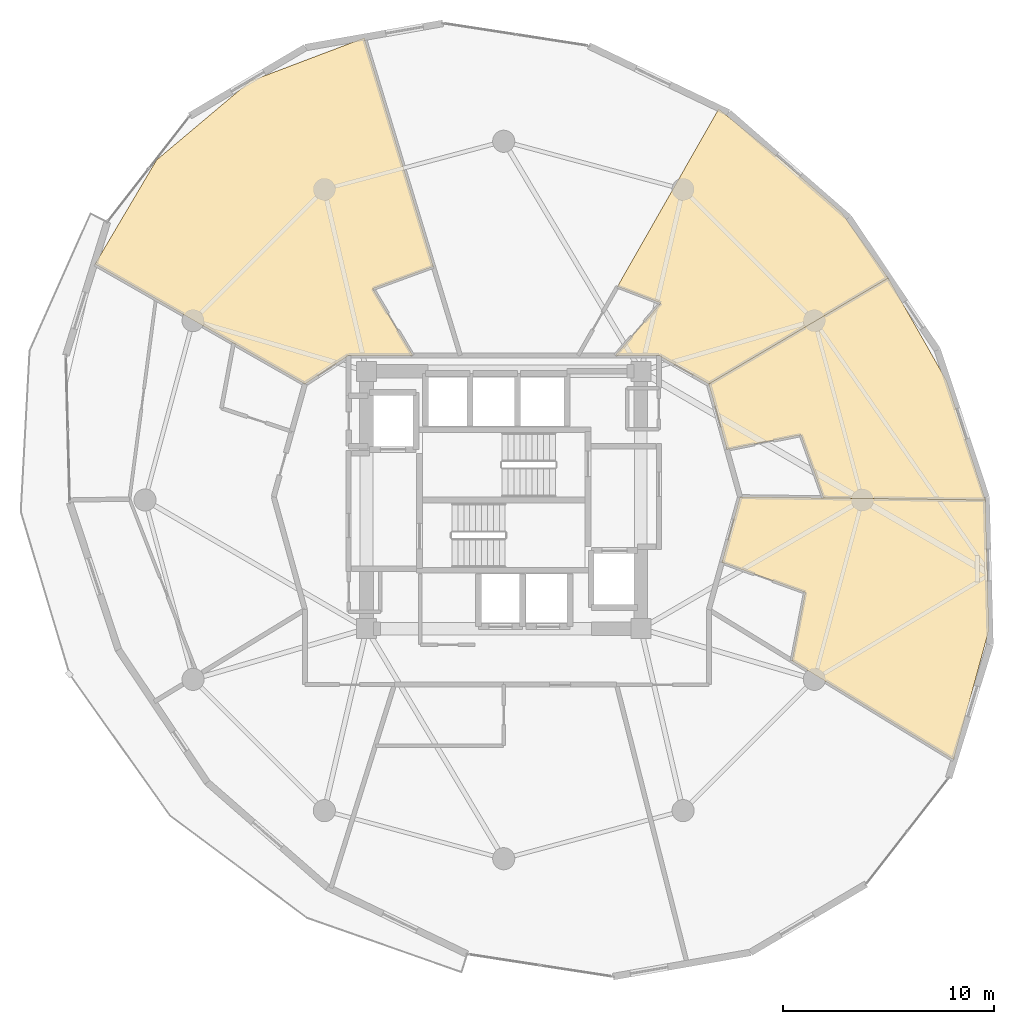
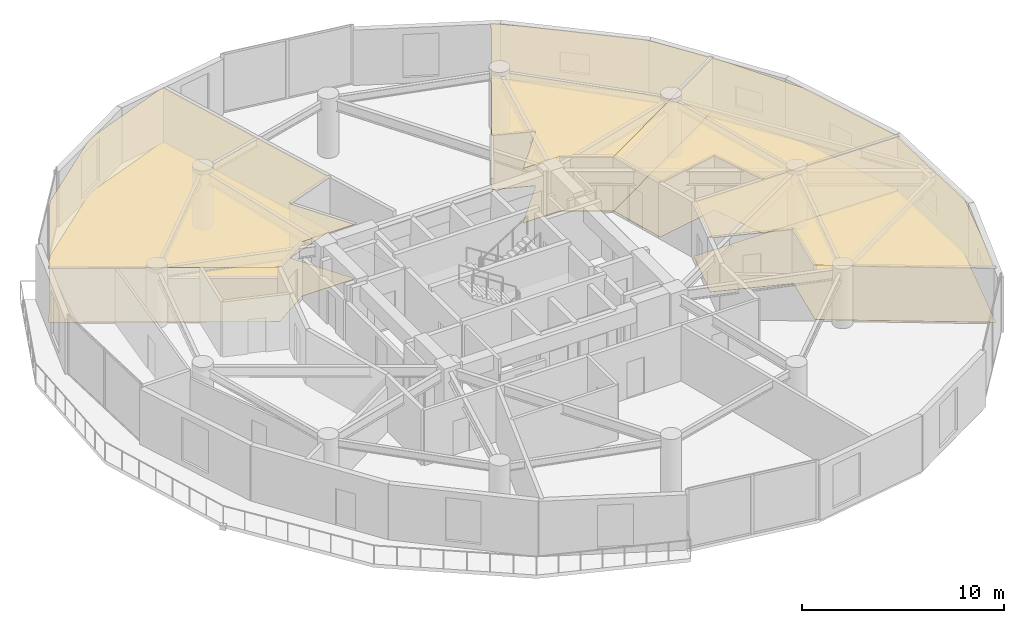
# One storey, part 20 of 20: 8 coverings.
"""IFC4 building model written with IfcOpenShell, lengths in metres."""

from ifc_helpers import new_model, si_unit, direction, frame, origin, place, context, subcontext, project, spatial, polyline, outline, extrude, material, layer, layer_set, type_object, element, save


model = new_model("IFC4")

# Units and contexts
model_context = context("Model", 3, precision=1e-05, world=origin(), true_north=direction((0.0, 1.0)))
body_context = subcontext(model_context, "Body", "Model", "MODEL_VIEW")
ifc_project = project(units=[si_unit("LENGTHUNIT", "METRE"), si_unit("AREAUNIT", "SQUARE_METRE"), si_unit("VOLUMEUNIT", "CUBIC_METRE"), si_unit("PLANEANGLEUNIT", "RADIAN"), si_unit("MASSUNIT", "GRAM", prefix="KILO")], contexts=[model_context])

# Site, building, storey
site_placement = place(None, origin())
site = spatial("IfcSite", under=ifc_project, at=site_placement, CompositionType="ELEMENT")
building_placement = place(site_placement, origin())
building = spatial("IfcBuilding", under=site, at=building_placement, Name="Solvirekh Grand Hotel", CompositionType="ELEMENT")
storey_placement = place(building_placement, frame((0.0, 0.0, 156.60009765625)))
storey = spatial("IfcBuildingStorey", under=building, at=storey_placement, Name="L40", CompositionType="ELEMENT", Elevation=156.60009765625)

# Coverings
ifc_material_1 = material(Name="Acoustic Mineral Ceiling Tile")
ifc_layer_1 = layer(ifc_material_1, 0.02490234375)
ifc_layer_set_1 = layer_set([ifc_layer_1], Name="Acoustic Mineral Ceiling Tile")
covering_type_1 = type_object("IfcCoveringType", Name="Cov_Ceiling_Acoustic", PredefinedType="CEILING", material=ifc_layer_set_1)
covering_1_placement = place(storey_placement, frame((0.0, 0.0, 3.2998046875)))
element("IfcCovering", 1, at=covering_1_placement, inside=storey, type_object=covering_type_1, Name="L40 Deluxe Guestroom 4201 acoustic ceiling", PredefinedType="CEILING", context=body_context, shape_type="SweptSolid", body=[
    extrude(outline(polyline([(3.528076171875, 6.85009765625), (5.39306640625, 10.1201171875), (7.445068359375, 9.3349609375), (5.285888671875, 6.85009765625), (7.35009765625, 6.85009765625), (9.719970703125, 5.5), (18.218994140625, 10.51904296875), (16.009033203125, 13.625), (13.14794921875, 16.12109375), (10.18701171875, 18.530029296875), (3.528076171875, 6.85009765625)])), origin(), (0.0, 0.0, 1.0), 0.01806640625),
])
covering_2_placement = place(storey_placement, frame((0.0, 0.0, 3.2998046875)))
element("IfcCovering", 2, at=covering_2_placement, inside=storey, type_object=covering_type_1, Name="L40 Deluxe Guestroom 4202 acoustic ceiling", PredefinedType="CEILING", context=body_context, shape_type="SweptSolid", body=[
    extrude(outline(polyline([(-4.30810546875, 6.85009765625), (-6.202880859375, 10.011962890625), (-3.3330078125, 11.06201171875), (-2.05810546875, 6.85009765625), (-6.610107421875, 21.89404296875), (-12.01806640625, 19.844970703125), (-16.451904296875, 16.111083984375), (-19.365966796875, 11.180908203125), (-9.419921875, 5.5), (-7.35009765625, 6.85009765625), (-4.30810546875, 6.85009765625)])), origin(), (0.0, 0.0, 1.0), 0.01806640625),
])
covering_3_placement = place(storey_placement, frame((0.0, 0.0, 3.2998046875)))
element("IfcCovering", 3, at=covering_3_placement, inside=storey, type_object=covering_type_1, Name="L40 Deluxe Guestroom 4204 acoustic ceiling", PredefinedType="CEILING", context=body_context, shape_type="SweptSolid", body=[
    extrude(outline(polyline([(14.2890625, -4.3759765625), (13.6630859375, -7.615966796875), (21.31591796875, -12.306884765625), (22.990966796875, -6.160888671875), (22.827880859375, 0.0), (11.199951171875, 0.14990234375), (10.342041015625, -2.952880859375), (14.2890625, -4.3759765625)])), origin(), (0.0, 0.0, 1.0), 0.01806640625),
])
covering_4_placement = place(storey_placement, frame((0.0, 0.0, 3.2998046875)))
element("IfcCovering", 4, at=covering_4_placement, inside=storey, type_object=covering_type_1, Name="L40 Deluxe Guestroom 4205 acoustic ceiling", PredefinedType="CEILING", context=body_context, shape_type="SweptSolid", body=[
    extrude(outline(polyline([(14.0849609375, 3.083984375), (15.154052734375, 0.09912109375), (22.827880859375, 0.0), (21.0029296875, 5.6279296875), (18.218994140625, 10.51904296875), (9.719970703125, 5.5), (10.577880859375, 2.39697265625), (14.0849609375, 3.083984375)])), origin(), (0.0, 0.0, 1.0), 0.01806640625),
])
ifc_material_2 = material(Name="Porcelain Stoneware Flooring", Category="masonry")
ifc_layer_2 = layer(ifc_material_2, 0.030029296875)
ifc_layer_set_2 = layer_set([ifc_layer_2], Name="Porcelain Stoneware Flooring")
covering_type_2 = type_object("IfcCoveringType", Name="Cov_Floor_Stone", PredefinedType="FLOORING", material=ifc_layer_set_2)
covering_5_placement = place(storey_placement, origin())
element("IfcCovering", 5, at=covering_5_placement, inside=storey, type_object=covering_type_2, Name="L40 Deluxe Guestroom 4201 polished granite flooring", PredefinedType="FLOORING", context=body_context, shape_type="SweptSolid", body=[
    extrude(outline(polyline([(3.528076171875, 6.85009765625), (5.39306640625, 10.1201171875), (7.445068359375, 9.3349609375), (5.285888671875, 6.85009765625), (7.35009765625, 6.85009765625), (9.719970703125, 5.5), (18.218994140625, 10.51904296875), (16.009033203125, 13.625), (13.14794921875, 16.12109375), (10.18701171875, 18.530029296875), (3.528076171875, 6.85009765625)])), origin(), (0.0, 0.0, 1.0), 0.02001953125),
])
covering_6_placement = place(storey_placement, origin())
element("IfcCovering", 6, at=covering_6_placement, inside=storey, type_object=covering_type_2, Name="L40 Deluxe Guestroom 4202 polished granite flooring", PredefinedType="FLOORING", context=body_context, shape_type="SweptSolid", body=[
    extrude(outline(polyline([(-4.30810546875, 6.85009765625), (-6.202880859375, 10.011962890625), (-3.3330078125, 11.06201171875), (-2.05810546875, 6.85009765625), (-6.610107421875, 21.89404296875), (-12.01806640625, 19.844970703125), (-16.451904296875, 16.111083984375), (-19.365966796875, 11.180908203125), (-9.419921875, 5.5), (-7.35009765625, 6.85009765625), (-4.30810546875, 6.85009765625)])), origin(), (0.0, 0.0, 1.0), 0.02001953125),
])
covering_7_placement = place(storey_placement, origin())
element("IfcCovering", 7, at=covering_7_placement, inside=storey, type_object=covering_type_2, Name="L40 Deluxe Guestroom 4204 polished granite flooring", PredefinedType="FLOORING", context=body_context, shape_type="SweptSolid", body=[
    extrude(outline(polyline([(14.2890625, -4.3759765625), (13.6630859375, -7.615966796875), (21.31591796875, -12.306884765625), (22.990966796875, -6.160888671875), (22.827880859375, 0.0), (11.199951171875, 0.14990234375), (10.342041015625, -2.952880859375), (14.2890625, -4.3759765625)])), origin(), (0.0, 0.0, 1.0), 0.02001953125),
])
covering_8_placement = place(storey_placement, origin())
element("IfcCovering", 8, at=covering_8_placement, inside=storey, type_object=covering_type_2, Name="L40 Deluxe Guestroom 4205 polished granite flooring", PredefinedType="FLOORING", context=body_context, shape_type="SweptSolid", body=[
    extrude(outline(polyline([(14.0849609375, 3.083984375), (15.154052734375, 0.09912109375), (22.827880859375, 0.0), (21.0029296875, 5.6279296875), (18.218994140625, 10.51904296875), (9.719970703125, 5.5), (10.577880859375, 2.39697265625), (14.0849609375, 3.083984375)])), origin(), (0.0, 0.0, 1.0), 0.02001953125),
])

save(model, "model.ifc")
